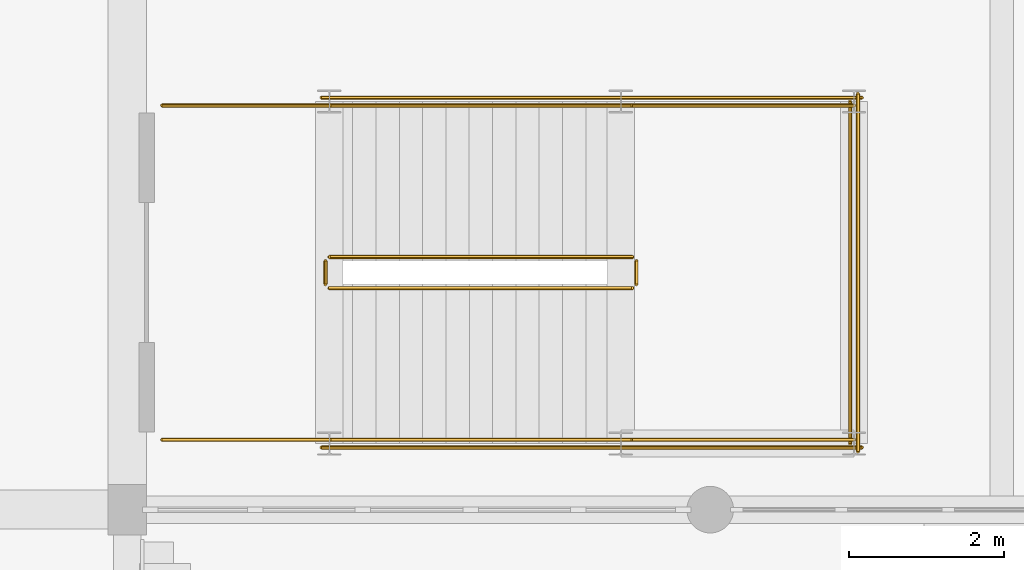
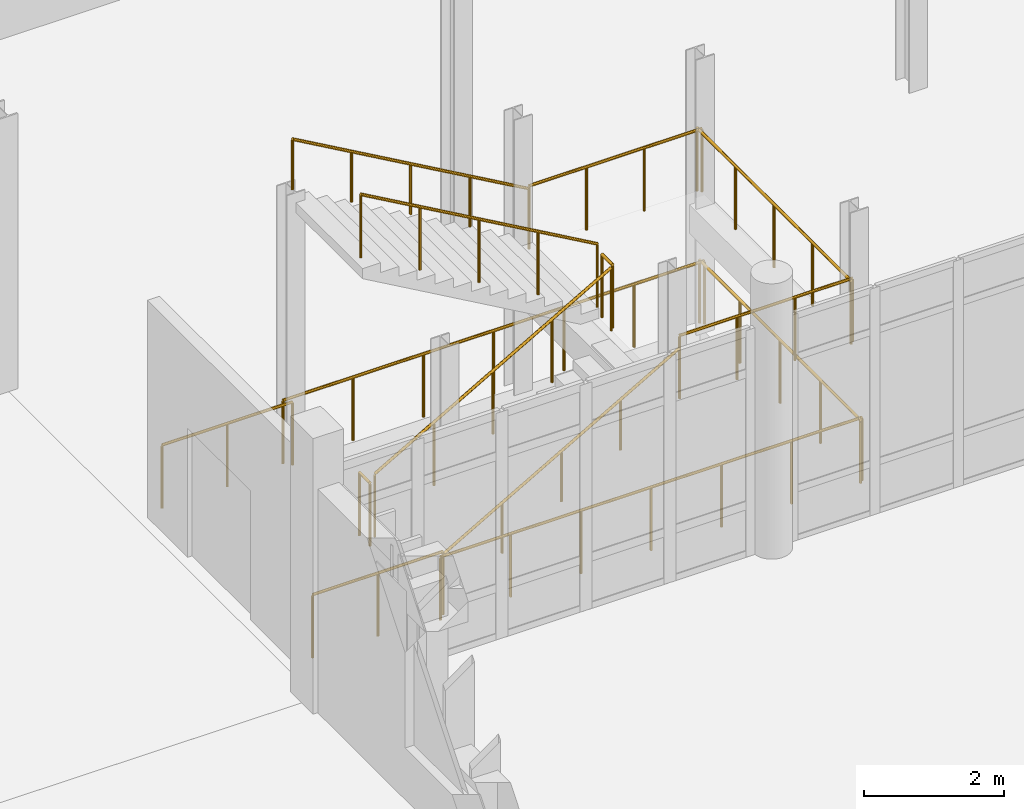
# One storey, part 106 of 125: 14 railings.
"""IFC4 building model written with IfcOpenShell, lengths in metres."""

from ifc_helpers import new_model, si_unit, direction, frame, origin, origin_2d, place, context, subcontext, project, spatial, circle, extrude, material, type_object, element, save


model = new_model("IFC4")

# Units and contexts
model_context = context("Model", 3, precision=1e-05, world=origin(), true_north=direction((0.0, 1.0)))
body_context = subcontext(model_context, "Body", "Model", "MODEL_VIEW")
ifc_project = project(units=[si_unit("LENGTHUNIT", "METRE"), si_unit("AREAUNIT", "SQUARE_METRE"), si_unit("VOLUMEUNIT", "CUBIC_METRE"), si_unit("PLANEANGLEUNIT", "RADIAN"), si_unit("MASSUNIT", "GRAM", prefix="KILO")], contexts=[model_context])

# Site, building, storey
site_placement = place(None, origin())
site = spatial("IfcSite", under=ifc_project, at=site_placement, CompositionType="ELEMENT")
building_placement = place(site_placement, origin())
building = spatial("IfcBuilding", under=site, at=building_placement, Name="Dalvernix Boulevard General Hospital", CompositionType="ELEMENT")
storey_placement = place(building_placement, origin())
storey = spatial("IfcBuildingStorey", under=building, at=storey_placement, Name="L00", CompositionType="ELEMENT", Elevation=0.0)

# Railings
ifc_material_1 = material(Name="Brushed stainless steel balustrade", Category="steel")
railing_type_1 = type_object("IfcRailingType", Name="RL-GR-INT1", PredefinedType="BALUSTRADE", material=ifc_material_1)
railing_1_placement = place(storey_placement, frame((62.60009765625, 25.35009765625, 0.17138671875)))
element("IfcRailing", 1, at=railing_1_placement, inside=storey, type_object=railing_type_1, Name="L00 ST-07 stair guard 1", PredefinedType="BALUSTRADE", context=body_context, shape_type="SweptSolid", body=[
    extrude(circle(Radius=0.02392578125, at=origin_2d()), frame((0.0, 0.0, 1.09619140625), z_axis=(0.868243142124, 0.0, 0.496138938357), x_axis=(0.0, 1.0, 0.0)), (0.0, 0.0, 1.0), 4.49169921875),
    extrude(circle(Radius=0.02099609375, at=origin_2d()), origin(), (0.0, 0.0, 1.0), 1.072021484375),
    extrude(circle(Radius=0.02099609375, at=origin_2d()), frame((0.97509765625, 0.0, 0.55712890625)), (0.0, 0.0, 1.0), 1.072021484375),
    extrude(circle(Radius=0.02099609375, at=origin_2d()), frame((1.949951171875, 0.0, 1.1142578125)), (0.0, 0.0, 1.0), 1.072021484375),
    extrude(circle(Radius=0.02099609375, at=origin_2d()), frame((2.9248046875, 0.0, 1.67138671875)), (0.0, 0.0, 1.0), 1.072021484375),
    extrude(circle(Radius=0.02099609375, at=origin_2d()), frame((3.89990234375, 0.0, 2.228515625)), (0.0, 0.0, 1.0), 1.072021484375),
])
railing_2_placement = place(storey_placement, frame((66.550048828125, 25.39990234375, 2.39990234375)))
element("IfcRailing", 2, at=railing_2_placement, inside=storey, type_object=railing_type_1, Name="L00 ST-07 stair guard 2", PredefinedType="BALUSTRADE", context=body_context, shape_type="SweptSolid", body=[
    extrude(circle(Radius=0.02392578125, at=origin_2d()), frame((0.0, 0.0, 1.09619140625), z_axis=(0.0, 1.0, 0.0), x_axis=(-1.0, 0.0, 0.0)), (0.0, 0.0, 1.0), 0.300048828125),
    extrude(circle(Radius=0.02099609375, at=origin_2d()), origin(), (0.0, 0.0, 1.0), 1.072021484375),
    extrude(circle(Radius=0.02099609375, at=origin_2d()), frame((0.0, 0.300048828125, 0.0)), (0.0, 0.0, 1.0), 1.072021484375),
])
for number, where, name in (
    (3, (66.5, 23.39990234375, 2.39990234375), "L00 ST-07 stair guard 3"),
    (4, (66.5, 27.699951171875, 2.39990234375), "L00 ST-07 stair guard 4"),
):
    element("IfcRailing", number, at=place(storey_placement, frame(where)), inside=storey, type_object=railing_type_1, Name=name, PredefinedType="BALUSTRADE", context=body_context, shape_type="SweptSolid", body=[
        extrude(circle(Radius=0.02392578125, at=origin_2d()), frame((0.0, 0.0, 1.09619140625), z_axis=(1.0, 0.0, 0.0), x_axis=(0.0, 1.0, 0.0)), (0.0, 0.0, 1.0), 2.85009765625),
        extrude(circle(Radius=0.02099609375, at=origin_2d()), origin(), (0.0, 0.0, 1.0), 1.072021484375),
        extrude(circle(Radius=0.02099609375, at=origin_2d()), frame((0.949951171875, 0.0, 0.0)), (0.0, 0.0, 1.0), 1.072021484375),
        extrude(circle(Radius=0.02099609375, at=origin_2d()), frame((1.900146484375, 0.0, 0.0)), (0.0, 0.0, 1.0), 1.072021484375),
        extrude(circle(Radius=0.02099609375, at=origin_2d()), frame((2.85009765625, 0.0, 0.0)), (0.0, 0.0, 1.0), 1.072021484375),
    ])
railing_3_placement = place(storey_placement, frame((69.300048828125, 23.35009765625, 2.39990234375)))
element("IfcRailing", 5, at=railing_3_placement, inside=storey, type_object=railing_type_1, Name="L00 ST-07 stair guard 5", PredefinedType="BALUSTRADE", context=body_context, shape_type="SweptSolid", body=[
    extrude(circle(Radius=0.02392578125, at=origin_2d()), frame((0.0, 0.0, 1.09619140625), z_axis=(0.0, 1.0, 0.0), x_axis=(-1.0, 0.0, 0.0)), (0.0, 0.0, 1.0), 4.39990234375),
    extrude(circle(Radius=0.02099609375, at=origin_2d()), origin(), (0.0, 0.0, 1.0), 1.072021484375),
    extrude(circle(Radius=0.02099609375, at=origin_2d()), frame((0.0, 1.10009765625, 0.0)), (0.0, 0.0, 1.0), 1.072021484375),
    extrude(circle(Radius=0.02099609375, at=origin_2d()), frame((0.0, 2.199951171875, 0.0)), (0.0, 0.0, 1.0), 1.072021484375),
    extrude(circle(Radius=0.02099609375, at=origin_2d()), frame((0.0, 3.2998046875, 0.0)), (0.0, 0.0, 1.0), 1.072021484375),
    extrude(circle(Radius=0.02099609375, at=origin_2d()), frame((0.0, 4.39990234375, 0.0)), (0.0, 0.0, 1.0), 1.072021484375),
])
railing_4_placement = place(storey_placement, frame((66.5, 25.75, 2.571533203125)))
element("IfcRailing", 6, at=railing_4_placement, inside=storey, type_object=railing_type_1, Name="L00 ST-07 stair guard 6", PredefinedType="BALUSTRADE", context=body_context, shape_type="SweptSolid", body=[
    extrude(circle(Radius=0.02392578125, at=origin_2d()), frame((0.0, 0.0, 1.09619140625), z_axis=(-0.868243142124, 0.0, 0.496138938357), x_axis=(0.0, -1.0, 0.0)), (0.0, 0.0, 1.0), 4.49169921875),
    extrude(circle(Radius=0.02099609375, at=origin_2d()), origin(), (0.0, 0.0, 1.0), 1.072021484375),
    extrude(circle(Radius=0.02099609375, at=origin_2d()), frame((-0.97509765625, 0.0, 0.55712890625)), (0.0, 0.0, 1.0), 1.072021484375),
    extrude(circle(Radius=0.02099609375, at=origin_2d()), frame((-1.949951171875, 0.0, 1.1142578125)), (0.0, 0.0, 1.0), 1.072021484375),
    extrude(circle(Radius=0.02099609375, at=origin_2d()), frame((-2.9248046875, 0.0, 1.67138671875)), (0.0, 0.0, 1.0), 1.072021484375),
    extrude(circle(Radius=0.02099609375, at=origin_2d()), frame((-3.89990234375, 0.0, 2.228515625)), (0.0, 0.0, 1.0), 1.072021484375),
])
railing_5_placement = place(storey_placement, frame((62.550048828125, 25.39990234375, 0.0)))
element("IfcRailing", 7, at=railing_5_placement, inside=storey, type_object=railing_type_1, Name="L00 ST-07 stair guard 7", PredefinedType="BALUSTRADE", context=body_context, shape_type="SweptSolid", body=[
    extrude(circle(Radius=0.02392578125, at=origin_2d()), frame((0.0, 0.0, 1.09619140625), z_axis=(0.0, 1.0, 0.0), x_axis=(-1.0, 0.0, 0.0)), (0.0, 0.0, 1.0), 0.300048828125),
    extrude(circle(Radius=0.02099609375, at=origin_2d()), origin(), (0.0, 0.0, 1.0), 1.072021484375),
    extrude(circle(Radius=0.02099609375, at=origin_2d()), frame((0.0, 0.300048828125, 0.0)), (0.0, 0.0, 1.0), 1.072021484375),
])
for number, where, name in (
    (8, (60.449951171875, 23.39990234375, 0.0), "L00 ST-07 stair guard 8"),
    (9, (60.449951171875, 27.699951171875, 0.0), "L00 ST-07 stair guard 9"),
):
    element("IfcRailing", number, at=place(storey_placement, frame(where)), inside=storey, type_object=railing_type_1, Name=name, PredefinedType="BALUSTRADE", context=body_context, shape_type="SweptSolid", body=[
        extrude(circle(Radius=0.02392578125, at=origin_2d()), frame((0.0, 0.0, 1.09619140625), z_axis=(1.0, 0.0, 0.0), x_axis=(0.0, 1.0, 0.0)), (0.0, 0.0, 1.0), 2.150146484375),
        extrude(circle(Radius=0.02099609375, at=origin_2d()), origin(), (0.0, 0.0, 1.0), 1.072021484375),
        extrude(circle(Radius=0.02099609375, at=origin_2d()), frame((1.0751953125, 0.0, 0.0)), (0.0, 0.0, 1.0), 1.072021484375),
        extrude(circle(Radius=0.02099609375, at=origin_2d()), frame((2.150146484375, 0.0, 0.0)), (0.0, 0.0, 1.0), 1.072021484375),
    ])
for number, where, name in (
    (10, (62.5, 23.300048828125, 0.0), "L00 ST-07 stair guard 10"),
    (11, (62.5, 27.800048828125, 0.0), "L00 ST-07 stair guard 11"),
):
    element("IfcRailing", number, at=place(storey_placement, frame(where)), inside=storey, type_object=railing_type_1, Name=name, PredefinedType="BALUSTRADE", context=body_context, shape_type="SweptSolid", body=[
        extrude(circle(Radius=0.02392578125, at=origin_2d()), frame((0.0, 0.0, 1.09619140625), z_axis=(1.0, 0.0, 0.0), x_axis=(0.0, 1.0, 0.0)), (0.0, 0.0, 1.0), 6.949951171875),
        extrude(circle(Radius=0.02099609375, at=origin_2d()), origin(), (0.0, 0.0, 1.0), 1.072021484375),
        extrude(circle(Radius=0.02099609375, at=origin_2d()), frame((1.158203125, 0.0, 0.0)), (0.0, 0.0, 1.0), 1.072021484375),
        extrude(circle(Radius=0.02099609375, at=origin_2d()), frame((2.316650390625, 0.0, 0.0)), (0.0, 0.0, 1.0), 1.072021484375),
        extrude(circle(Radius=0.02099609375, at=origin_2d()), frame((3.47509765625, 0.0, 0.0)), (0.0, 0.0, 1.0), 1.072021484375),
        extrude(circle(Radius=0.02099609375, at=origin_2d()), frame((4.63330078125, 0.0, 0.0)), (0.0, 0.0, 1.0), 1.072021484375),
        extrude(circle(Radius=0.02099609375, at=origin_2d()), frame((5.79150390625, 0.0, 0.0)), (0.0, 0.0, 1.0), 1.072021484375),
        extrude(circle(Radius=0.02099609375, at=origin_2d()), frame((6.949951171875, 0.0, 0.0)), (0.0, 0.0, 1.0), 1.072021484375),
    ])
railing_6_placement = place(storey_placement, frame((69.39990234375, 23.25, 0.0)))
element("IfcRailing", 12, at=railing_6_placement, inside=storey, type_object=railing_type_1, Name="L00 ST-07 stair guard 12", PredefinedType="BALUSTRADE", context=body_context, shape_type="SweptSolid", body=[
    extrude(circle(Radius=0.02392578125, at=origin_2d()), frame((0.0, 0.0, 1.09619140625), z_axis=(0.0, 1.0, 0.0), x_axis=(-1.0, 0.0, 0.0)), (0.0, 0.0, 1.0), 4.60009765625),
    extrude(circle(Radius=0.02099609375, at=origin_2d()), origin(), (0.0, 0.0, 1.0), 1.072021484375),
    extrude(circle(Radius=0.02099609375, at=origin_2d()), frame((0.0, 1.14990234375, 0.0)), (0.0, 0.0, 1.0), 1.072021484375),
    extrude(circle(Radius=0.02099609375, at=origin_2d()), frame((0.0, 2.300048828125, 0.0)), (0.0, 0.0, 1.0), 1.072021484375),
    extrude(circle(Radius=0.02099609375, at=origin_2d()), frame((0.0, 3.4501953125, 0.0)), (0.0, 0.0, 1.0), 1.072021484375),
    extrude(circle(Radius=0.02099609375, at=origin_2d()), frame((0.0, 4.60009765625, 0.0)), (0.0, 0.0, 1.0), 1.072021484375),
])
ifc_material_2 = material(Name="Brushed stainless steel wall handrail", Category="steel")
railing_type_2 = type_object("IfcRailingType", Name="RL-HR-INT1", PredefinedType="HANDRAIL", material=ifc_material_2)
railing_7_placement = place(storey_placement, frame((62.60009765625, 23.39990234375, 0.17138671875)))
element("IfcRailing", 13, at=railing_7_placement, inside=storey, type_object=railing_type_2, Name="L00 ST-07 stair handrail 1", PredefinedType="HANDRAIL", context=body_context, shape_type="SweptSolid", body=[
    extrude(circle(Radius=0.02392578125, at=origin_2d()), frame((0.0, 0.0, 0.8759765625), z_axis=(0.868243142124, 0.0, 0.496138938357), x_axis=(0.0, 1.0, 0.0)), (0.0, 0.0, 1.0), 4.49169921875),
    extrude(circle(Radius=0.02099609375, at=origin_2d()), origin(), (0.0, 0.0, 1.0), 0.851806640625),
    extrude(circle(Radius=0.02099609375, at=origin_2d()), frame((0.97509765625, 0.0, 0.55712890625)), (0.0, 0.0, 1.0), 0.851806640625),
    extrude(circle(Radius=0.02099609375, at=origin_2d()), frame((1.949951171875, 0.0, 1.1142578125)), (0.0, 0.0, 1.0), 0.851806640625),
    extrude(circle(Radius=0.02099609375, at=origin_2d()), frame((2.9248046875, 0.0, 1.67138671875)), (0.0, 0.0, 1.0), 0.851806640625),
    extrude(circle(Radius=0.02099609375, at=origin_2d()), frame((3.89990234375, 0.0, 2.228515625)), (0.0, 0.0, 1.0), 0.851806640625),
])
railing_8_placement = place(storey_placement, frame((66.5, 27.699951171875, 2.571533203125)))
element("IfcRailing", 14, at=railing_8_placement, inside=storey, type_object=railing_type_2, Name="L00 ST-07 stair handrail 2", PredefinedType="HANDRAIL", context=body_context, shape_type="SweptSolid", body=[
    extrude(circle(Radius=0.02392578125, at=origin_2d()), frame((0.0, 0.0, 0.8759765625), z_axis=(-0.868243142124, 0.0, 0.496138938357), x_axis=(0.0, -1.0, 0.0)), (0.0, 0.0, 1.0), 4.49169921875),
    extrude(circle(Radius=0.02099609375, at=origin_2d()), origin(), (0.0, 0.0, 1.0), 0.851806640625),
    extrude(circle(Radius=0.02099609375, at=origin_2d()), frame((-0.97509765625, 0.0, 0.55712890625)), (0.0, 0.0, 1.0), 0.851806640625),
    extrude(circle(Radius=0.02099609375, at=origin_2d()), frame((-1.949951171875, 0.0, 1.1142578125)), (0.0, 0.0, 1.0), 0.851806640625),
    extrude(circle(Radius=0.02099609375, at=origin_2d()), frame((-2.9248046875, 0.0, 1.67138671875)), (0.0, 0.0, 1.0), 0.851806640625),
    extrude(circle(Radius=0.02099609375, at=origin_2d()), frame((-3.89990234375, 0.0, 2.228515625)), (0.0, 0.0, 1.0), 0.851806640625),
])

save(model, "model.ifc")
